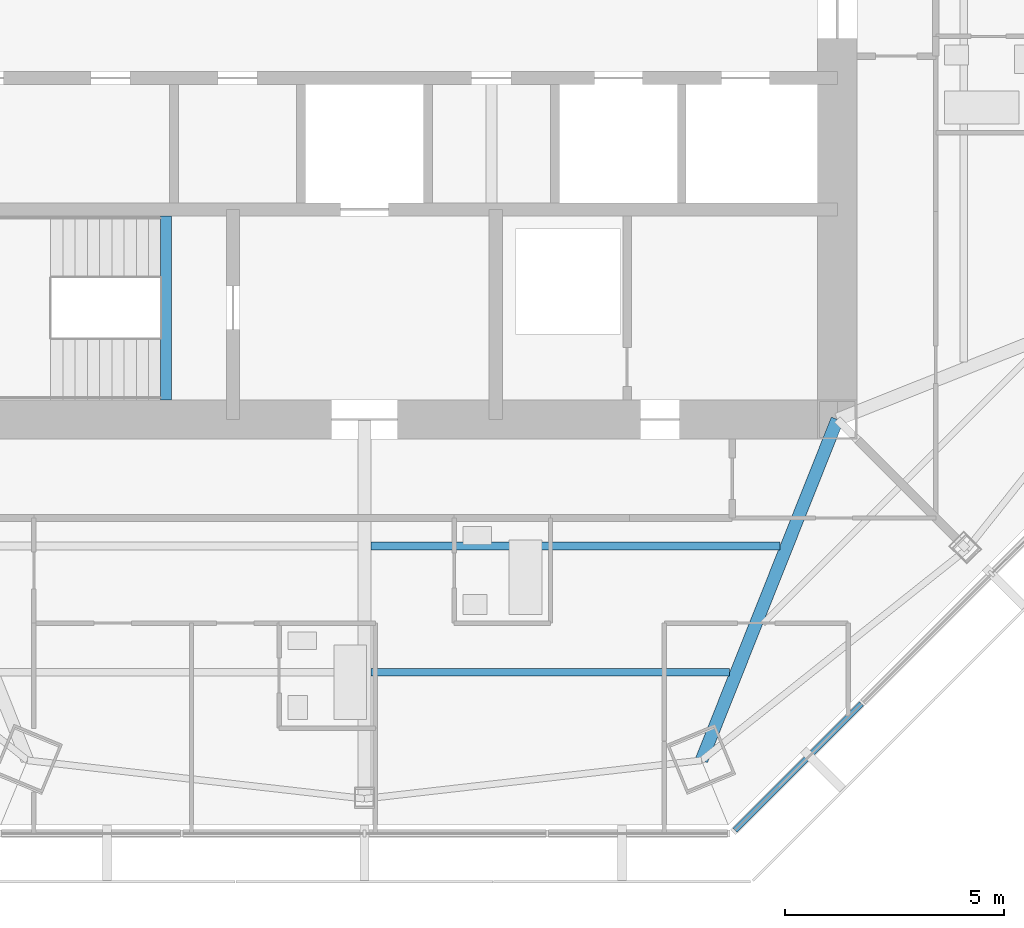
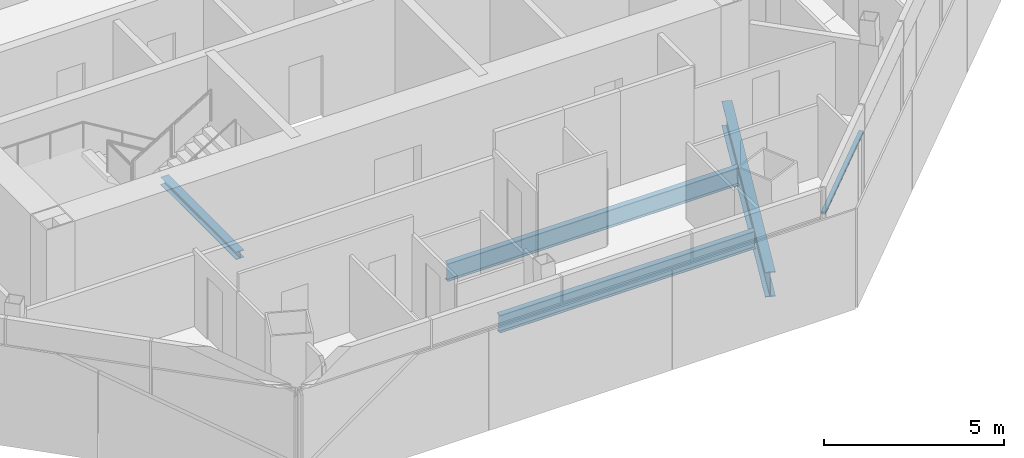
# One storey, part 3 of 15: 4 beams, 1 member, 1 element without a shape of its own.
"""IFC4 building model written with IfcOpenShell, lengths in metres."""

from ifc_helpers import new_model, si_unit, direction, frame, origin, origin_2d, place, context, subcontext, project, spatial, rectangle, i_section, extrude, source, transform, mapped, material, material_profile, profile_set, type_object, type_shapes, element, aggregate, save


model = new_model("IFC4")

# Units and contexts
model_context = context("Model", 3, precision=1e-05, world=origin(), true_north=direction((0.0, 1.0)))
body_context = subcontext(model_context, "Body", "Model", "MODEL_VIEW")
ifc_project = project(units=[si_unit("LENGTHUNIT", "METRE"), si_unit("AREAUNIT", "SQUARE_METRE"), si_unit("VOLUMEUNIT", "CUBIC_METRE"), si_unit("PLANEANGLEUNIT", "RADIAN"), si_unit("MASSUNIT", "GRAM", prefix="KILO")], contexts=[model_context])

# Site, building, storey
site_placement = place(None, origin())
site = spatial("IfcSite", under=ifc_project, at=site_placement, CompositionType="ELEMENT")
building_placement = place(site_placement, origin())
building = spatial("IfcBuilding", under=site, at=building_placement, Name="Mashrafa Tower", CompositionType="ELEMENT")
storey_placement = place(building_placement, frame((0.0, 0.0, 274.199951171875)))
storey = spatial("IfcBuildingStorey", under=building, at=storey_placement, Name="L66", CompositionType="ELEMENT", Elevation=274.199951171875)

# Beams
ifc_material_1 = material(Name="Steel ASTM A992", Category="steel")
ifc_material_profile_1 = material_profile(ifc_material_1, i_section(OverallWidth=0.177978515625, OverallDepth=0.599365234375, WebThickness=0.010009765625, FlangeThickness=0.012939453125, FilletRadius=0.012939453125, at=origin_2d()), Name="W24X55")
ifc_profile_set_1 = profile_set([ifc_material_profile_1], Name="Steel ASTM A992")
beam_type_1 = type_object("IfcBeamType", Name="Beam W24X55", PredefinedType="BEAM", material=ifc_profile_set_1)
beam_1_placement = place(storey_placement, frame((8.341796875, -16.57568359375, -0.499755859375), z_axis=(-1.0, 0.0, 0.0), x_axis=(0.0, -1.0, 0.0)))
element("IfcBeam", 1, at=beam_1_placement, inside=storey, type_object=beam_type_1, Name="Floor beam L66 015", PredefinedType="BEAM", context=body_context, shape_type="SweptSolid", body=[
    extrude(i_section(OverallWidth=0.177978515625, OverallDepth=0.599365234375, WebThickness=0.010009765625, FlangeThickness=0.012939453125, FilletRadius=0.012939453125, at=origin_2d()), origin(), (0.0, 0.0, 1.0), 8.19580078125),
])
beam_2_placement = place(storey_placement, frame((9.4921875, -13.68798828125, -0.499755859375), z_axis=(-1.0, 0.0, 0.0), x_axis=(0.0, -1.0, 0.0)))
element("IfcBeam", 2, at=beam_2_placement, inside=storey, type_object=beam_type_1, Name="Floor beam L66 017", PredefinedType="BEAM", context=body_context, shape_type="SweptSolid", body=[
    extrude(i_section(OverallWidth=0.177978515625, OverallDepth=0.599365234375, WebThickness=0.010009765625, FlangeThickness=0.012939453125, FilletRadius=0.012939453125, at=origin_2d()), origin(), (0.0, 0.0, 1.0), 9.34619140625),
])
ifc_material_2 = material(Name="Steel ASTM A992", Category="steel")
ifc_material_profile_2 = material_profile(ifc_material_2, i_section(OverallWidth=0.2919921875, OverallDepth=0.8408203125, WebThickness=0.0146484375, FlangeThickness=0.021728515625, FilletRadius=0.017333984375, at=origin_2d()), Name="W33X130")
ifc_profile_set_2 = profile_set([ifc_material_profile_2], Name="Steel ASTM A992")
beam_type_2 = type_object("IfcBeamType", Name="Beam W33X130", PredefinedType="BEAM", material=ifc_profile_set_2)
beam_3_placement = place(storey_placement, frame((10.800048828125, -10.800048828125, -0.620361328125), z_axis=(-0.370119579101, -0.928984121052, 0.0), x_axis=(0.928984121052, -0.370119579101, 0.0)))
element("IfcBeam", 3, at=beam_3_placement, inside=storey, type_object=beam_type_2, Name="Radial girder L66 034", PredefinedType="BEAM", context=body_context, shape_type="SweptSolid", body=[
    extrude(i_section(OverallWidth=0.2919921875, OverallDepth=0.8408203125, WebThickness=0.0146484375, FlangeThickness=0.021728515625, FilletRadius=0.017333984375, at=origin_2d()), origin(), (0.0, 0.0, 1.0), 8.380615234375),
])
ifc_material_3 = material(Name="Steel ASTM A992", Category="steel")
ifc_material_profile_3 = material_profile(ifc_material_3, i_section(OverallWidth=0.25390625, OverallDepth=0.25390625, WebThickness=0.008544921875, FlangeThickness=0.01416015625, FilletRadius=0.010009765625, at=origin_2d()), Name="W10X49")
ifc_profile_set_3 = profile_set([ifc_material_profile_3], Name="Steel ASTM A992")
beam_type_3 = type_object("IfcBeamType", Name="Hoistway beam W10X49", PredefinedType="BEAM", material=ifc_profile_set_3)
beam_4_placement = place(storey_placement, frame((-4.530029296875, -10.35009765625, -0.326904296875), z_axis=(0.0, 1.0, 0.0), x_axis=(-1.0, 0.0, 0.0)))
element("IfcBeam", 4, at=beam_4_placement, inside=storey, type_object=beam_type_3, Name="Stair S3 landing beam L66", PredefinedType="BEAM", context=body_context, shape_type="SweptSolid", body=[
    extrude(i_section(OverallWidth=0.25390625, OverallDepth=0.25390625, WebThickness=0.008544921875, FlangeThickness=0.01416015625, FilletRadius=0.010009765625, at=origin_2d()), origin(), (0.0, 0.0, 1.0), 4.2001953125),
])

# Curtain wall, member
ifc_material_4 = material(Name="Unitised aluminium curtain wall", Category="aluminium")
curtain_wall_type = type_object("IfcCurtainWallType", Name="Apartment curtain wall, zone 4 CW-D 160 deep", PredefinedType="NOTDEFINED", material=ifc_material_4)
curtain_wall_placement = place(storey_placement, origin())
curtain_wall = element("IfcCurtainWall", 5, at=curtain_wall_placement, inside=storey, type_object=curtain_wall_type, Name="Apartment curtain wall, zone 4 L66 south-east", PredefinedType="NOTDEFINED")
ifc_material_5 = material(Name="Extruded aluminium transom", Category="aluminium")
ifc_material_profile_4 = material_profile(ifc_material_5, rectangle(XDim=0.1279296875, YDim=0.074951171875, at=origin_2d()), Name="Transom 75x128")
ifc_profile_set_4 = profile_set([ifc_material_profile_4], Name="Extruded aluminium transom")
member_type = type_object("IfcMemberType", Name="Transom CW-D 75 x 128", PredefinedType="MULLION", material=ifc_profile_set_4)
shared_shape = source(origin(), body_context, "Body", "SweptSolid", [
    extrude(rectangle(XDim=0.1279296875, YDim=0.074951171875, at=origin_2d()), origin(), (0.0, 0.0, 1.0), 4.083984375),
])
type_shapes(member_type, [shared_shape])
member_placement = place(storey_placement, frame((8.464111328125, -20.18505859375, 2.5), z_axis=(0.707076890595, 0.707136670515, 0.0), x_axis=(-0.707136670515, 0.707076890595, 0.0)))
member = element("IfcMember", 6, at=member_placement, type_object=member_type, Name="CW-D transom 1", PredefinedType="MULLION", context=body_context, shape_type="MappedRepresentation", body=[
    mapped(shared_shape, transform((0.0, 0.0, 0.0))),
])
aggregate(curtain_wall, [member])

save(model, "model.ifc")
